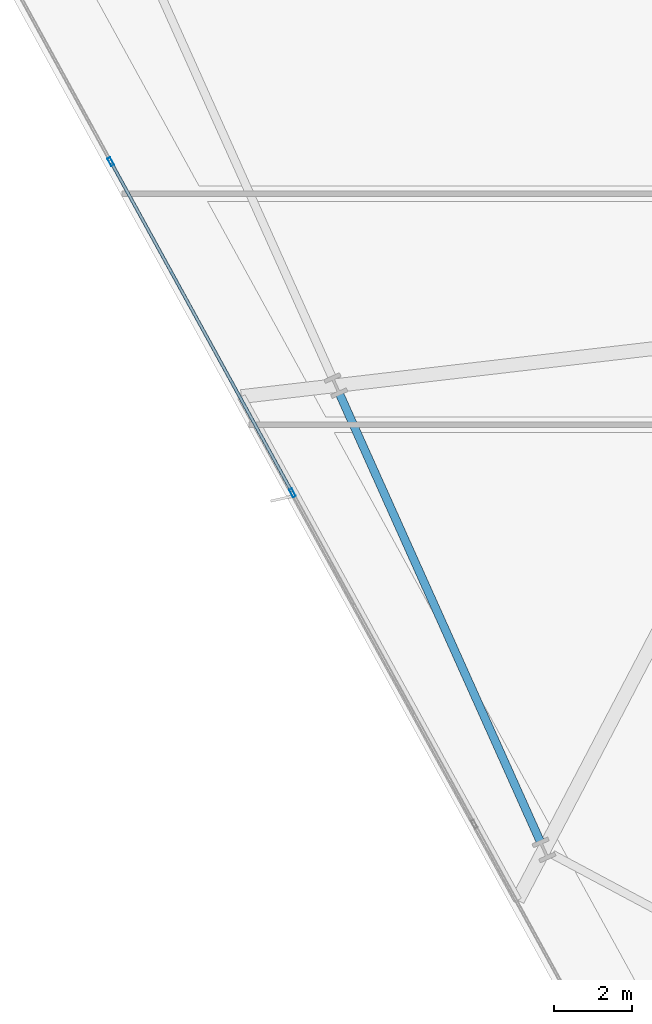
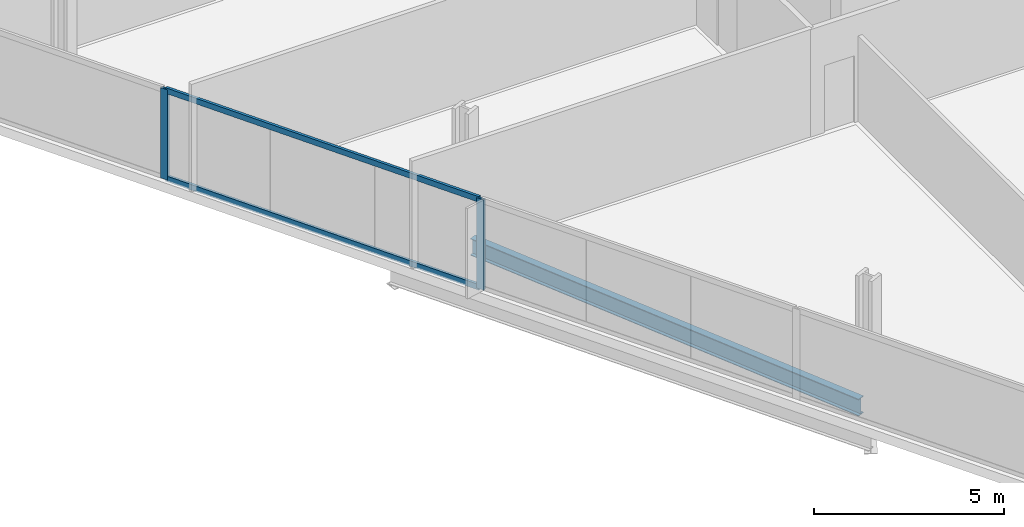
# One storey, part 5 of 33: 4 members, 1 beam, 1 element without a shape of its own.
"""IFC4 building model written with IfcOpenShell, lengths in metres."""

from ifc_helpers import new_model, si_unit, direction, frame, origin, origin_2d, place, context, subcontext, project, spatial, hollow_rectangle, i_section, extrude, material, material_profile, profile_set, type_object, element, aggregate, save


model = new_model("IFC4")

# Units and contexts
model_context = context("Model", 3, precision=1e-05, world=origin(), true_north=direction((0.0, 1.0)))
body_context = subcontext(model_context, "Body", "Model", "MODEL_VIEW")
ifc_project = project(units=[si_unit("LENGTHUNIT", "METRE"), si_unit("AREAUNIT", "SQUARE_METRE"), si_unit("VOLUMEUNIT", "CUBIC_METRE"), si_unit("PLANEANGLEUNIT", "RADIAN"), si_unit("MASSUNIT", "GRAM", prefix="KILO")], contexts=[model_context])

# Site, building, storey
site_placement = place(None, origin())
site = spatial("IfcSite", under=ifc_project, at=site_placement, CompositionType="ELEMENT")
building_placement = place(site_placement, origin())
building = spatial("IfcBuilding", under=site, at=building_placement, Name="Haldenkirk Collegiate Tower", CompositionType="ELEMENT")
storey_placement = place(building_placement, frame((0.0, 0.0, 124.199951171875)))
storey = spatial("IfcBuildingStorey", under=building, at=storey_placement, Name="L30", CompositionType="ELEMENT", Elevation=124.199951171875)

# Beam
ifc_material_1 = material(Name="Steel ASTM A992 Grade 50", Category="steel")
ifc_material_profile_1 = material_profile(ifc_material_1, i_section(OverallWidth=0.2119140625, OverallDepth=0.5439453125, WebThickness=0.01318359375, FlangeThickness=0.021240234375, at=origin_2d()), Name="W21X83")
ifc_profile_set_1 = profile_set([ifc_material_profile_1], Name="Steel ASTM A992 Grade 50")
beam_type = type_object("IfcBeamType", Name="BM-SPANDREL-W21X83", PredefinedType="SPANDREL", material=ifc_profile_set_1)
beam_placement = place(storey_placement, frame((14.742919921875, 16.3369140625, -0.572021484375), z_axis=(0.409131045523, -0.91247563671, 0.0), x_axis=(0.91247563671, 0.409131045523, 0.0)))
element("IfcBeam", 1, at=beam_placement, inside=storey, type_object=beam_type, Name="L30 perimeter spandrel beam 15", PredefinedType="SPANDREL", context=body_context, shape_type="SweptSolid", body=[
    extrude(i_section(OverallWidth=0.2119140625, OverallDepth=0.5439453125, WebThickness=0.01318359375, FlangeThickness=0.021240234375, at=origin_2d()), origin(), (0.0, 0.0, 1.0), 12.593994140625),
])

# Curtain wall, members
ifc_material_2 = material(Name="Anodised architectural bronze aluminium", Category="aluminium")
curtain_wall_type = type_object("IfcCurtainWallType", Name="CW-SYS1-CONVEX-LOW", PredefinedType="USERDEFINED", material=ifc_material_2)
curtain_wall_placement = place(storey_placement, origin())
curtain_wall = element("IfcCurtainWall", 2, at=curtain_wall_placement, inside=storey, type_object=curtain_wall_type, Name="L30 Lower tower convex bronze-framed unitised curtain wall", ObjectType="UNITISED CURTAIN WALL", PredefinedType="USERDEFINED")
ifc_material_profile_2 = material_profile(ifc_material_2, hollow_rectangle(XDim=0.080078125, YDim=0.219970703125, WallThickness=0.0048828125, at=origin_2d()), Name="CW-MUL-1A")
ifc_profile_set_2 = profile_set([ifc_material_profile_2], Name="Anodised architectural bronze aluminium")
member_type_1 = type_object("IfcMemberType", Name="CW-MUL-1A", PredefinedType="MULLION", material=ifc_profile_set_2)
member_1_placement = place(storey_placement, frame((13.528076171875, 13.7998046875, 0.0), z_axis=(0.0, 0.0, 1.0), x_axis=(-0.876726858964, -0.480988580708, 0.0)))
member_1 = element("IfcMember", 3, at=member_1_placement, type_object=member_type_1, Name="CW-1A mullion 3", PredefinedType="MULLION", context=body_context, shape_type="SweptSolid", body=[
    extrude(hollow_rectangle(XDim=0.080078125, YDim=0.219970703125, WallThickness=0.0048828125, at=origin_2d()), origin(), (0.0, 0.0, 1.0), 2.901123046875),
])
member_2_placement = place(storey_placement, frame((8.853515625, 22.3203125, 0.0), z_axis=(0.0, 0.0, 1.0), x_axis=(-0.876726858964, -0.480988580708, 0.0)))
member_2 = element("IfcMember", 4, at=member_2_placement, type_object=member_type_1, Name="CW-1A mullion 4", PredefinedType="MULLION", context=body_context, shape_type="SweptSolid", body=[
    extrude(hollow_rectangle(XDim=0.080078125, YDim=0.219970703125, WallThickness=0.0048828125, at=origin_2d()), origin(), (0.0, 0.0, 1.0), 2.901123046875),
])
ifc_material_profile_3 = material_profile(ifc_material_2, hollow_rectangle(XDim=0.080078125, YDim=0.179931640625, WallThickness=0.0048828125, at=origin_2d()), Name="CW-TRN-1A")
ifc_profile_set_3 = profile_set([ifc_material_profile_3], Name="Anodised architectural bronze aluminium")
member_type_2 = type_object("IfcMemberType", Name="CW-TRN-1A", PredefinedType="USERDEFINED", material=ifc_profile_set_3)
member_3_placement = place(storey_placement, frame((13.5087890625, 13.834716796875, 0.0400390625), z_axis=(-0.480990897247, 0.876725588063, 0.0), x_axis=(-0.876725588063, -0.480990897247, 0.0)))
member_3 = element("IfcMember", 5, at=member_3_placement, type_object=member_type_2, Name="CW-1A transom 3.1", ObjectType="TRANSOM", PredefinedType="USERDEFINED", context=body_context, shape_type="SweptSolid", body=[
    extrude(hollow_rectangle(XDim=0.080078125, YDim=0.179931640625, WallThickness=0.0048828125, at=origin_2d()), origin(), (0.0, 0.0, 1.0), 9.638916015625),
])
member_4_placement = place(storey_placement, frame((13.5087890625, 13.834716796875, 2.861083984375), z_axis=(-0.480990897247, 0.876725588063, 0.0), x_axis=(-0.876725588063, -0.480990897247, 0.0)))
member_4 = element("IfcMember", 6, at=member_4_placement, type_object=member_type_2, Name="CW-1A transom 3.2", ObjectType="TRANSOM", PredefinedType="USERDEFINED", context=body_context, shape_type="SweptSolid", body=[
    extrude(hollow_rectangle(XDim=0.080078125, YDim=0.179931640625, WallThickness=0.0048828125, at=origin_2d()), origin(), (0.0, 0.0, 1.0), 9.638916015625),
])
aggregate(curtain_wall, [member_1, member_2, member_3, member_4])

save(model, "model.ifc")
